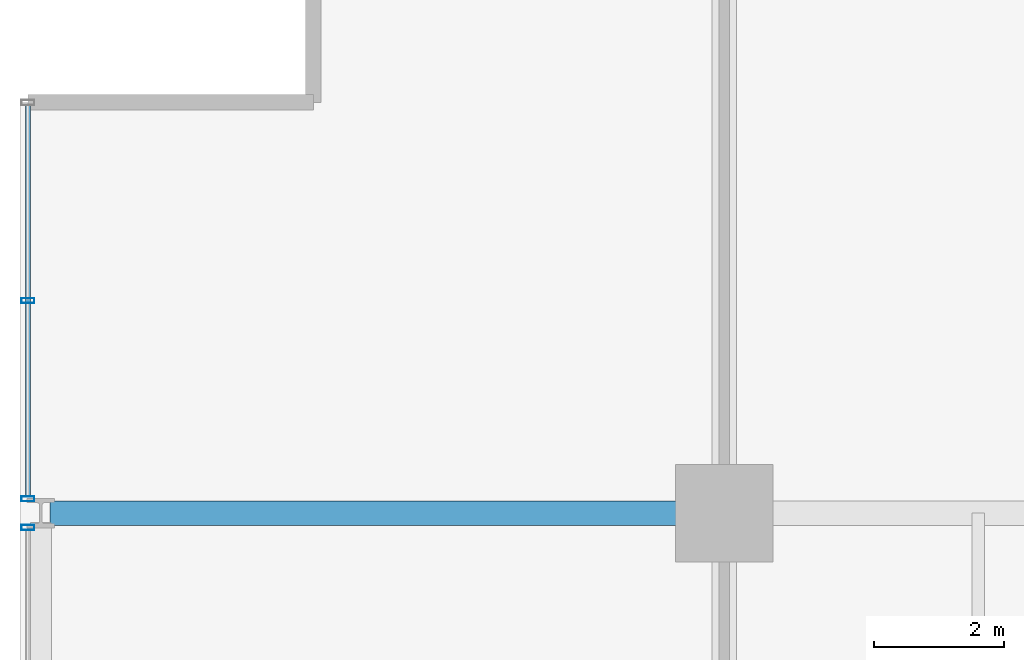
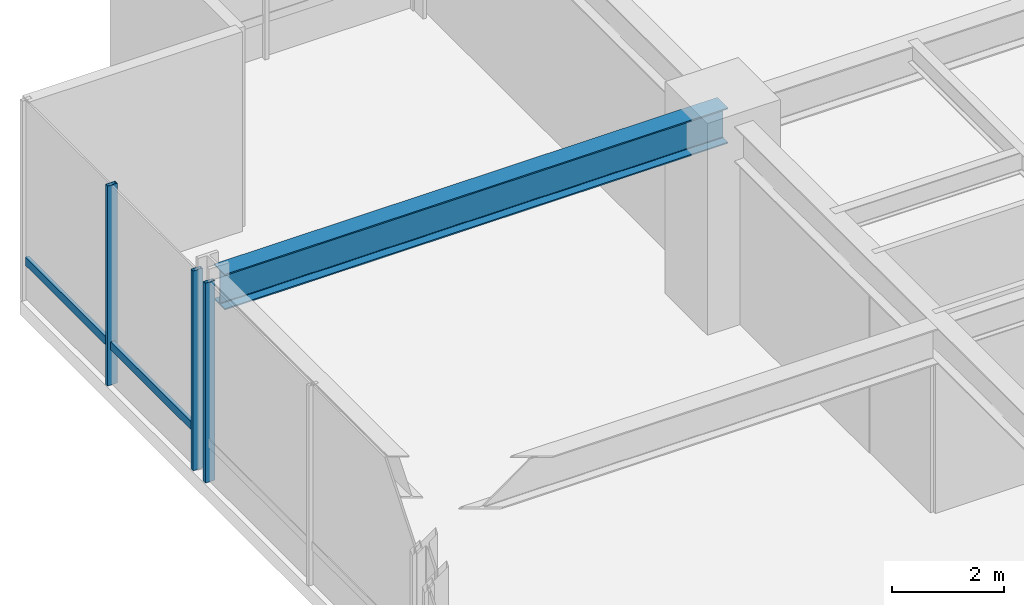
# One storey, part 18 of 33: 4 members, 1 beam, 2 elements without a shape of their own.
"""IFC4 building model written with IfcOpenShell, lengths in metres."""

from ifc_helpers import new_model, si_unit, direction, frame, origin, origin_2d, place, context, subcontext, project, spatial, hollow_rectangle, i_section, extrude, material, layer, layer_set, material_profile, profile_set, type_object, element, aggregate, save


model = new_model("IFC4")

# Units and contexts
model_context = context("Model", 3, precision=1e-05, world=origin(), true_north=direction((0.0, 1.0)))
body_context = subcontext(model_context, "Body", "Model", "MODEL_VIEW")
ifc_project = project(units=[si_unit("LENGTHUNIT", "METRE"), si_unit("AREAUNIT", "SQUARE_METRE"), si_unit("VOLUMEUNIT", "CUBIC_METRE"), si_unit("PLANEANGLEUNIT", "RADIAN"), si_unit("MASSUNIT", "GRAM", prefix="KILO")], contexts=[model_context])

# Site, building, storey
site_placement = place(None, origin())
site = spatial("IfcSite", under=ifc_project, at=site_placement, CompositionType="ELEMENT")
building_placement = place(site_placement, origin())
building = spatial("IfcBuilding", under=site, at=building_placement, Name="Drelvath Grand Hotel", CompositionType="ELEMENT")
storey_placement = place(building_placement, frame((0.0, 0.0, 87.199951171875)))
storey = spatial("IfcBuildingStorey", under=building, at=storey_placement, Name="L21", CompositionType="ELEMENT", Elevation=87.199951171875)

# Curtain wall, member
ifc_material_1 = material(Name="Champagne Bronze Anodised Aluminium Frame", Category="aluminium")
ifc_layer = layer(ifc_material_1, 0.199951171875)
ifc_layer_set = layer_set([ifc_layer], Name="Champagne Bronze Anodised Aluminium Frame")
curtain_wall_type = type_object("IfcCurtainWallType", Name="Stick Curtain Wall CW-03 Champagne Bronze Mid-Rise", PredefinedType="NOTDEFINED", material=ifc_layer_set)
curtain_wall_1_placement = place(storey_placement, origin())
curtain_wall_1 = element("IfcCurtainWall", 1, at=curtain_wall_1_placement, inside=storey, type_object=curtain_wall_type, Name="L21 CW-03 Curtain Wall CW03-L21-WN3", PredefinedType="NOTDEFINED")
ifc_material_profile_1 = material_profile(ifc_material_1, hollow_rectangle(XDim=0.074951171875, YDim=0.179931640625, WallThickness=0.0048828125, at=origin_2d()), Name="HSS180X75X5")
ifc_profile_set_1 = profile_set([ifc_material_profile_1], Name="Champagne Bronze Anodised Aluminium Frame")
member_type_1 = type_object("IfcMemberType", Name="Curtain Wall Horizontal Transom CW-03 HSS180X75X5", PredefinedType="USERDEFINED", material=ifc_profile_set_1)
member_1_placement = place(storey_placement, frame((-26.8798828125, 43.459716796875, 0.85009765625), z_axis=(0.0, 1.0, 0.0), x_axis=(-1.0, 0.0, 0.0)))
member_1 = element("IfcMember", 2, at=member_1_placement, type_object=member_type_1, Name="CW03-L21-WN3 Sill Transom", ObjectType="TRANSOM", PredefinedType="USERDEFINED", context=body_context, shape_type="SweptSolid", body=[
    extrude(hollow_rectangle(XDim=0.074951171875, YDim=0.179931640625, WallThickness=0.0048828125, at=origin_2d()), origin(), (0.0, 0.0, 1.0), 6.000244140625),
])

curtain_wall_2_placement = place(storey_placement, origin())
curtain_wall_2 = element("IfcCurtainWall", 3, at=curtain_wall_2_placement, inside=storey, type_object=curtain_wall_type, Name="L21 CW-03 Curtain Wall CW03-L21-WN2", PredefinedType="NOTDEFINED")
ifc_material_profile_2 = material_profile(ifc_material_1, hollow_rectangle(XDim=0.080078125, YDim=0.199951171875, WallThickness=0.0048828125, at=origin_2d()), Name="HSS200X80X5")
ifc_profile_set_2 = profile_set([ifc_material_profile_2], Name="Champagne Bronze Anodised Aluminium Frame")
member_type_2 = type_object("IfcMemberType", Name="Curtain Wall Vertical Mullion CW-03 HSS200X80X5", PredefinedType="MULLION", material=ifc_profile_set_2)
member_2_placement = place(storey_placement, frame((-26.8798828125, 42.98046875, 0.0), z_axis=(0.0, 0.0, 1.0), x_axis=(0.0, 1.0, 0.0)))
member_2 = element("IfcMember", 4, at=member_2_placement, type_object=member_type_2, Name="CW03-L21-WN2 Mullion 3", PredefinedType="MULLION", context=body_context, shape_type="SweptSolid", body=[
    extrude(hollow_rectangle(XDim=0.080078125, YDim=0.199951171875, WallThickness=0.0048828125, at=origin_2d()), origin(), (0.0, 0.0, 1.0), 4.340087890625),
])
aggregate(curtain_wall_2, [member_2])

# Member
member_3_placement = place(storey_placement, frame((-26.8798828125, 43.419677734375, 0.0), z_axis=(0.0, 0.0, 1.0), x_axis=(0.0, 1.0, 0.0)))
member_3 = element("IfcMember", 5, at=member_3_placement, type_object=member_type_2, Name="CW03-L21-WN3 Mullion 1", PredefinedType="MULLION", context=body_context, shape_type="SweptSolid", body=[
    extrude(hollow_rectangle(XDim=0.080078125, YDim=0.199951171875, WallThickness=0.0048828125, at=origin_2d()), origin(), (0.0, 0.0, 1.0), 4.340087890625),
])

member_4_placement = place(storey_placement, frame((-26.8798828125, 46.459716796875, 0.0), z_axis=(0.0, 0.0, 1.0), x_axis=(0.0, 1.0, 0.0)))
member_4 = element("IfcMember", 6, at=member_4_placement, type_object=member_type_2, Name="CW03-L21-WN3 Mullion 2", PredefinedType="MULLION", context=body_context, shape_type="SweptSolid", body=[
    extrude(hollow_rectangle(XDim=0.080078125, YDim=0.199951171875, WallThickness=0.0048828125, at=origin_2d()), origin(), (0.0, 0.0, 1.0), 4.340087890625),
])

aggregate(curtain_wall_1, [member_3, member_4, member_1])

# Beam
ifc_material_2 = material(Name="Steel ASTM A992 Gr 50", Category="steel")
ifc_material_profile_3 = material_profile(ifc_material_2, i_section(OverallWidth=0.380615234375, OverallDepth=0.773193359375, WebThickness=0.0166015625, FlangeThickness=0.027099609375, FilletRadius=0.02490234375, at=origin_2d()), Name="W30X173")
ifc_profile_set_3 = profile_set([ifc_material_profile_3], Name="Steel ASTM A992 Gr 50")
beam_type = type_object("IfcBeamType", Name="Primary Floor Girder W30X173", PredefinedType="BEAM", material=ifc_profile_set_3)
beam_placement = place(storey_placement, frame((-26.5400390625, 43.199951171875, 3.953369140625), z_axis=(1.0, 0.0, 0.0), x_axis=(0.0, 1.0, 0.0)))
element("IfcBeam", 7, at=beam_placement, inside=storey, type_object=beam_type, Name="L21 West Grid Girder G", PredefinedType="BEAM", context=body_context, shape_type="SweptSolid", body=[
    extrude(i_section(OverallWidth=0.380615234375, OverallDepth=0.773193359375, WebThickness=0.0166015625, FlangeThickness=0.027099609375, FilletRadius=0.02490234375, at=origin_2d()), origin(), (0.0, 0.0, 1.0), 10.340087890625),
])

save(model, "model.ifc")
